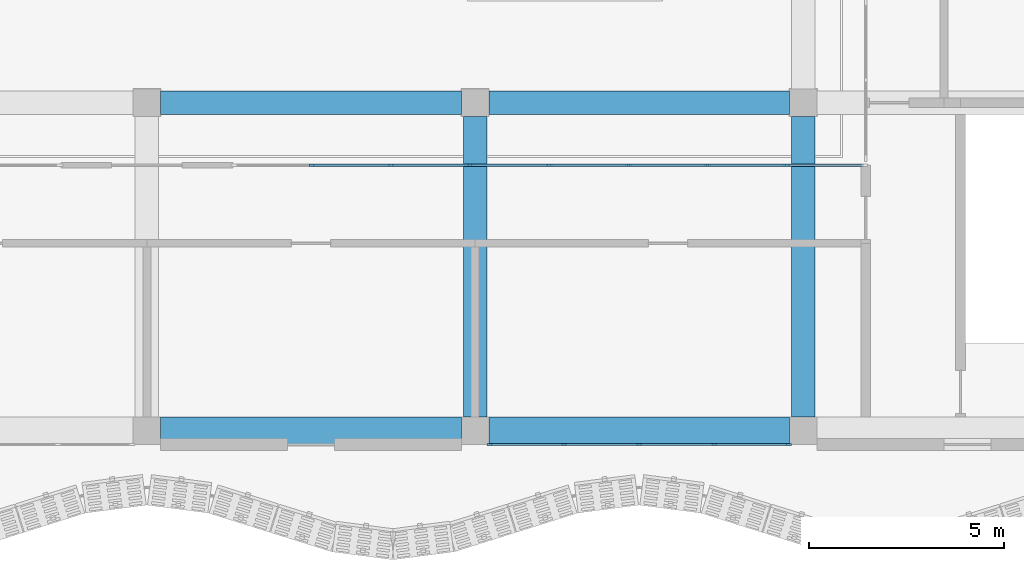
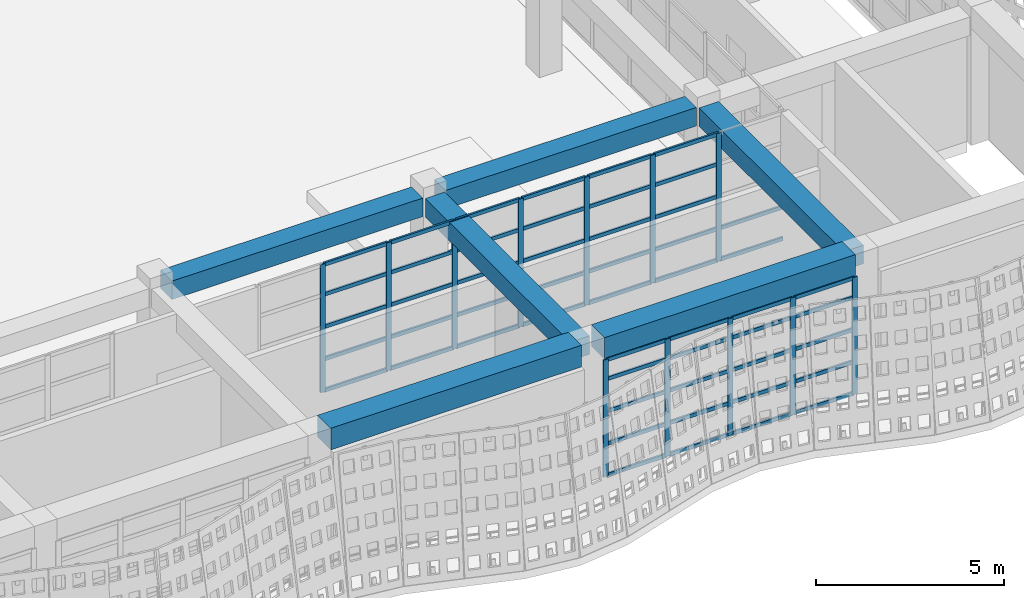
# One storey, part 6 of 85: 64 members, 6 beams, 2 elements without a shape of their own.
"""IFC4 building model written with IfcOpenShell, lengths in metres."""

from ifc_helpers import new_model, si_unit, direction, frame, origin, origin_2d, place, context, subcontext, project, spatial, rectangle, extrude, material, material_profile, profile_set, type_object, element, aggregate, save


model = new_model("IFC4")

# Units and contexts
model_context = context("Model", 3, precision=1e-05, world=origin(), true_north=direction((0.0, 1.0)))
body_context = subcontext(model_context, "Body", "Model", "MODEL_VIEW")
ifc_project = project(units=[si_unit("LENGTHUNIT", "METRE"), si_unit("AREAUNIT", "SQUARE_METRE"), si_unit("VOLUMEUNIT", "CUBIC_METRE"), si_unit("PLANEANGLEUNIT", "RADIAN"), si_unit("MASSUNIT", "GRAM", prefix="KILO")], contexts=[model_context])

# Site, building, storey
site_placement = place(None, origin())
site = spatial("IfcSite", under=ifc_project, at=site_placement, CompositionType="ELEMENT")
building_placement = place(site_placement, origin())
building = spatial("IfcBuilding", under=site, at=building_placement, Name="Rain Tree Exposition and Congress Centre", CompositionType="ELEMENT")
storey_placement = place(building_placement, frame((0.0, 0.0, 15.0)))
storey = spatial("IfcBuildingStorey", under=building, at=storey_placement, Name="L03", CompositionType="ELEMENT", Elevation=15.0)

# Beams
ifc_material_1 = material(Name="Precast concrete C50/60", Category="concrete")
ifc_material_profile_1 = material_profile(ifc_material_1, rectangle(XDim=0.60009765625, YDim=0.60009765625, at=origin_2d()), Name="RC 600x600")
ifc_profile_set_1 = profile_set([ifc_material_profile_1], Name="Precast concrete C50/60")
beam_type_1 = type_object("IfcBeamType", Name="Precast beam 600x600", PredefinedType="BEAM", material=ifc_profile_set_1)
for number, where, z_axis, x_axis, name in (
    (1, (25.550048828125, 8.39990234375, 3.85009765625), (1.0, 0.0, 0.0), (0.0, 1.0, 0.0), "wing/beam/L03/RF/019"),
    (2, (33.949951171875, 8.39990234375, 3.85009765625), (1.0, 0.0, 0.0), (0.0, 1.0, 0.0), "wing/beam/L03/RF/021"),
    (3, (33.60009765625, 0.35009765625, 3.85009765625), (0.0, 1.0, 0.0), (-1.0, 0.0, 0.0), "wing/beam/L03/RF/042"),
    (4, (42.0, 0.35009765625, 3.85009765625), (0.0, 1.0, 0.0), (-1.0, 0.0, 0.0), "wing/beam/L03/RF/050"),
):
    element("IfcBeam", number, at=place(storey_placement, frame(where, z_axis=z_axis, x_axis=x_axis)), inside=storey, type_object=beam_type_1, Name=name, PredefinedType="BEAM", context=body_context, shape_type="SweptSolid", body=[
        extrude(rectangle(XDim=0.60009765625, YDim=0.60009765625, at=origin_2d()), origin(), (0.0, 0.0, 1.0), 7.699951171875),
    ])
ifc_material_2 = material(Name="Precast concrete C50/60", Category="concrete")
ifc_material_profile_2 = material_profile(ifc_material_2, rectangle(XDim=0.699951171875, YDim=0.699951171875, at=origin_2d()), Name="RC 700x700")
ifc_profile_set_2 = profile_set([ifc_material_profile_2], Name="Precast concrete C50/60")
beam_type_2 = type_object("IfcBeamType", Name="Precast spandrel beam 700x700", PredefinedType="SPANDREL", material=ifc_profile_set_2)
for number, where, z_axis, x_axis, name in (
    (5, (25.550048828125, 0.0, 4.14990234375), (1.0, 0.0, 0.0), (0.0, 1.0, 0.0), "wing/beam/L03/RF/007"),
    (6, (33.949951171875, 0.0, 4.14990234375), (1.0, 0.0, 0.0), (0.0, 1.0, 0.0), "wing/beam/L03/RF/009"),
):
    element("IfcBeam", number, at=place(storey_placement, frame(where, z_axis=z_axis, x_axis=x_axis)), inside=storey, type_object=beam_type_2, Name=name, PredefinedType="SPANDREL", context=body_context, shape_type="SweptSolid", body=[
        extrude(rectangle(XDim=0.699951171875, YDim=0.699951171875, at=origin_2d()), origin(), (0.0, 0.0, 1.0), 7.699951171875),
    ])

# Curtain wall, members
ifc_material_3 = material(Name="Aluminium curtain wall", Category="aluminium")
curtain_wall_type = type_object("IfcCurtainWallType", Name="Wing curtain wall 1925", PredefinedType="NOTDEFINED", material=ifc_material_3)
curtain_wall_1_placement = place(storey_placement, origin())
curtain_wall_1 = element("IfcCurtainWall", 7, at=curtain_wall_1_placement, inside=storey, type_object=curtain_wall_type, Name="Curtain wall CWW403", PredefinedType="NOTDEFINED")
ifc_material_4 = material(Name="Aluminium", Category="aluminium")
ifc_material_profile_3 = material_profile(ifc_material_4, rectangle(XDim=0.06005859375, YDim=0.159912109375, at=origin_2d()), Name="Aluminium 60x160")
ifc_profile_set_3 = profile_set([ifc_material_profile_3], Name="Aluminium")
member_type_1 = type_object("IfcMemberType", Name="Wing mullion 60x160", PredefinedType="MULLION", material=ifc_profile_set_3)
member_1_placement = place(storey_placement, frame((33.97998046875, -0.35009765625, 0.0), z_axis=(0.0, 0.0, 1.0), x_axis=(0.0, 1.0, 0.0)))
member_1 = element("IfcMember", 8, at=member_1_placement, type_object=member_type_1, Name="CWW403 mullion 1", PredefinedType="MULLION", context=body_context, shape_type="SweptSolid", body=[
    extrude(rectangle(XDim=0.06005859375, YDim=0.159912109375, at=origin_2d()), origin(), (0.0, 0.0, 1.0), 3.800048828125),
])
member_2_placement = place(storey_placement, frame((35.875, -0.35009765625, 0.0), z_axis=(0.0, 0.0, 1.0), x_axis=(0.0, 1.0, 0.0)))
member_2 = element("IfcMember", 9, at=member_2_placement, type_object=member_type_1, Name="CWW403 mullion 2", PredefinedType="MULLION", context=body_context, shape_type="SweptSolid", body=[
    extrude(rectangle(XDim=0.06005859375, YDim=0.159912109375, at=origin_2d()), origin(), (0.0, 0.0, 1.0), 3.800048828125),
])
member_3_placement = place(storey_placement, frame((37.800048828125, -0.35009765625, 0.0), z_axis=(0.0, 0.0, 1.0), x_axis=(0.0, 1.0, 0.0)))
member_3 = element("IfcMember", 10, at=member_3_placement, type_object=member_type_1, Name="CWW403 mullion 3", PredefinedType="MULLION", context=body_context, shape_type="SweptSolid", body=[
    extrude(rectangle(XDim=0.06005859375, YDim=0.159912109375, at=origin_2d()), origin(), (0.0, 0.0, 1.0), 3.800048828125),
])
member_4_placement = place(storey_placement, frame((39.72509765625, -0.35009765625, 0.0), z_axis=(0.0, 0.0, 1.0), x_axis=(0.0, 1.0, 0.0)))
member_4 = element("IfcMember", 11, at=member_4_placement, type_object=member_type_1, Name="CWW403 mullion 4", PredefinedType="MULLION", context=body_context, shape_type="SweptSolid", body=[
    extrude(rectangle(XDim=0.06005859375, YDim=0.159912109375, at=origin_2d()), origin(), (0.0, 0.0, 1.0), 3.800048828125),
])
member_5_placement = place(storey_placement, frame((41.6201171875, -0.35009765625, 0.0), z_axis=(0.0, 0.0, 1.0), x_axis=(0.0, 1.0, 0.0)))
member_5 = element("IfcMember", 12, at=member_5_placement, type_object=member_type_1, Name="CWW403 mullion 5", PredefinedType="MULLION", context=body_context, shape_type="SweptSolid", body=[
    extrude(rectangle(XDim=0.06005859375, YDim=0.159912109375, at=origin_2d()), origin(), (0.0, 0.0, 1.0), 3.800048828125),
])

curtain_wall_2_placement = place(storey_placement, origin())
curtain_wall_2 = element("IfcCurtainWall", 13, at=curtain_wall_2_placement, inside=storey, type_object=curtain_wall_type, Name="Curtain wall CWW502", PredefinedType="NOTDEFINED")
member_6_placement = place(storey_placement, frame((29.425048828125, 6.800048828125, 0.0), z_axis=(0.0, 0.0, 1.0), x_axis=(0.0, 1.0, 0.0)))
member_6 = element("IfcMember", 14, at=member_6_placement, type_object=member_type_1, Name="CWW502 mullion 2", PredefinedType="MULLION", context=body_context, shape_type="SweptSolid", body=[
    extrude(rectangle(XDim=0.06005859375, YDim=0.159912109375, at=origin_2d()), origin(), (0.0, 0.0, 1.0), 4.14990234375),
])
member_7_placement = place(storey_placement, frame((31.449951171875, 6.800048828125, 0.0), z_axis=(0.0, 0.0, 1.0), x_axis=(0.0, 1.0, 0.0)))
member_7 = element("IfcMember", 15, at=member_7_placement, type_object=member_type_1, Name="CWW502 mullion 3", PredefinedType="MULLION", context=body_context, shape_type="SweptSolid", body=[
    extrude(rectangle(XDim=0.06005859375, YDim=0.159912109375, at=origin_2d()), origin(), (0.0, 0.0, 1.0), 4.14990234375),
])
member_8_placement = place(storey_placement, frame((33.47509765625, 6.800048828125, 0.0), z_axis=(0.0, 0.0, 1.0), x_axis=(0.0, 1.0, 0.0)))
member_8 = element("IfcMember", 16, at=member_8_placement, type_object=member_type_1, Name="CWW502 mullion 4", PredefinedType="MULLION", context=body_context, shape_type="SweptSolid", body=[
    extrude(rectangle(XDim=0.06005859375, YDim=0.159912109375, at=origin_2d()), origin(), (0.0, 0.0, 1.0), 4.14990234375),
])
member_9_placement = place(storey_placement, frame((35.5, 6.800048828125, 0.0), z_axis=(0.0, 0.0, 1.0), x_axis=(0.0, 1.0, 0.0)))
member_9 = element("IfcMember", 17, at=member_9_placement, type_object=member_type_1, Name="CWW502 mullion 5", PredefinedType="MULLION", context=body_context, shape_type="SweptSolid", body=[
    extrude(rectangle(XDim=0.06005859375, YDim=0.159912109375, at=origin_2d()), origin(), (0.0, 0.0, 1.0), 4.14990234375),
])
member_10_placement = place(storey_placement, frame((37.52490234375, 6.800048828125, 0.0), z_axis=(0.0, 0.0, 1.0), x_axis=(0.0, 1.0, 0.0)))
member_10 = element("IfcMember", 18, at=member_10_placement, type_object=member_type_1, Name="CWW502 mullion 6", PredefinedType="MULLION", context=body_context, shape_type="SweptSolid", body=[
    extrude(rectangle(XDim=0.06005859375, YDim=0.159912109375, at=origin_2d()), origin(), (0.0, 0.0, 1.0), 4.14990234375),
])
member_11_placement = place(storey_placement, frame((39.550048828125, 6.800048828125, 0.0), z_axis=(0.0, 0.0, 1.0), x_axis=(0.0, 1.0, 0.0)))
member_11 = element("IfcMember", 19, at=member_11_placement, type_object=member_type_1, Name="CWW502 mullion 7", PredefinedType="MULLION", context=body_context, shape_type="SweptSolid", body=[
    extrude(rectangle(XDim=0.06005859375, YDim=0.159912109375, at=origin_2d()), origin(), (0.0, 0.0, 1.0), 4.14990234375),
])
member_12_placement = place(storey_placement, frame((41.574951171875, 6.800048828125, 0.0), z_axis=(0.0, 0.0, 1.0), x_axis=(0.0, 1.0, 0.0)))
member_12 = element("IfcMember", 20, at=member_12_placement, type_object=member_type_1, Name="CWW502 mullion 8", PredefinedType="MULLION", context=body_context, shape_type="SweptSolid", body=[
    extrude(rectangle(XDim=0.06005859375, YDim=0.159912109375, at=origin_2d()), origin(), (0.0, 0.0, 1.0), 4.14990234375),
])

# Member
ifc_material_5 = material(Name="Aluminium", Category="aluminium")
ifc_material_profile_4 = material_profile(ifc_material_5, rectangle(XDim=0.06005859375, YDim=0.1201171875, at=origin_2d()), Name="Aluminium 60x120")
ifc_profile_set_4 = profile_set([ifc_material_profile_4], Name="Aluminium")
member_type_2 = type_object("IfcMemberType", Name="Wing transom 60x120", PredefinedType="USERDEFINED", material=ifc_profile_set_4)
member_13_placement = place(storey_placement, frame((34.010009765625, -0.35009765625, 0.030029296875), z_axis=(1.0, 0.0, 0.0), x_axis=(0.0, 1.0, 0.0)))
member_13 = element("IfcMember", 21, at=member_13_placement, type_object=member_type_2, Name="CWW403 transom 1.1", ObjectType="TRANSOM", PredefinedType="USERDEFINED", context=body_context, shape_type="SweptSolid", body=[
    extrude(rectangle(XDim=0.06005859375, YDim=0.1201171875, at=origin_2d()), origin(), (0.0, 0.0, 1.0), 1.8349609375),
])

member_14_placement = place(storey_placement, frame((34.010009765625, -0.35009765625, 1.050048828125), z_axis=(1.0, 0.0, 0.0), x_axis=(0.0, 1.0, 0.0)))
member_14 = element("IfcMember", 22, at=member_14_placement, type_object=member_type_2, Name="CWW403 transom 1.2", ObjectType="TRANSOM", PredefinedType="USERDEFINED", context=body_context, shape_type="SweptSolid", body=[
    extrude(rectangle(XDim=0.06005859375, YDim=0.1201171875, at=origin_2d()), origin(), (0.0, 0.0, 1.0), 1.8349609375),
])

member_15_placement = place(storey_placement, frame((34.010009765625, -0.35009765625, 2.10009765625), z_axis=(1.0, 0.0, 0.0), x_axis=(0.0, 1.0, 0.0)))
member_15 = element("IfcMember", 23, at=member_15_placement, type_object=member_type_2, Name="CWW403 transom 1.3", ObjectType="TRANSOM", PredefinedType="USERDEFINED", context=body_context, shape_type="SweptSolid", body=[
    extrude(rectangle(XDim=0.06005859375, YDim=0.1201171875, at=origin_2d()), origin(), (0.0, 0.0, 1.0), 1.8349609375),
])

member_16_placement = place(storey_placement, frame((34.010009765625, -0.35009765625, 3.14990234375), z_axis=(1.0, 0.0, 0.0), x_axis=(0.0, 1.0, 0.0)))
member_16 = element("IfcMember", 24, at=member_16_placement, type_object=member_type_2, Name="CWW403 transom 1.4", ObjectType="TRANSOM", PredefinedType="USERDEFINED", context=body_context, shape_type="SweptSolid", body=[
    extrude(rectangle(XDim=0.06005859375, YDim=0.1201171875, at=origin_2d()), origin(), (0.0, 0.0, 1.0), 1.8349609375),
])

member_17_placement = place(storey_placement, frame((34.010009765625, -0.35009765625, 3.77001953125), z_axis=(1.0, 0.0, 0.0), x_axis=(0.0, 1.0, 0.0)))
member_17 = element("IfcMember", 25, at=member_17_placement, type_object=member_type_2, Name="CWW403 transom 1.5", ObjectType="TRANSOM", PredefinedType="USERDEFINED", context=body_context, shape_type="SweptSolid", body=[
    extrude(rectangle(XDim=0.06005859375, YDim=0.1201171875, at=origin_2d()), origin(), (0.0, 0.0, 1.0), 1.8349609375),
])

member_18_placement = place(storey_placement, frame((35.905029296875, -0.35009765625, 0.030029296875), z_axis=(1.0, 0.0, 0.0), x_axis=(0.0, 1.0, 0.0)))
member_18 = element("IfcMember", 26, at=member_18_placement, type_object=member_type_2, Name="CWW403 transom 2.1", ObjectType="TRANSOM", PredefinedType="USERDEFINED", context=body_context, shape_type="SweptSolid", body=[
    extrude(rectangle(XDim=0.06005859375, YDim=0.1201171875, at=origin_2d()), origin(), (0.0, 0.0, 1.0), 1.864990234375),
])

member_19_placement = place(storey_placement, frame((35.905029296875, -0.35009765625, 1.050048828125), z_axis=(1.0, 0.0, 0.0), x_axis=(0.0, 1.0, 0.0)))
member_19 = element("IfcMember", 27, at=member_19_placement, type_object=member_type_2, Name="CWW403 transom 2.2", ObjectType="TRANSOM", PredefinedType="USERDEFINED", context=body_context, shape_type="SweptSolid", body=[
    extrude(rectangle(XDim=0.06005859375, YDim=0.1201171875, at=origin_2d()), origin(), (0.0, 0.0, 1.0), 1.864990234375),
])

member_20_placement = place(storey_placement, frame((35.905029296875, -0.35009765625, 2.10009765625), z_axis=(1.0, 0.0, 0.0), x_axis=(0.0, 1.0, 0.0)))
member_20 = element("IfcMember", 28, at=member_20_placement, type_object=member_type_2, Name="CWW403 transom 2.3", ObjectType="TRANSOM", PredefinedType="USERDEFINED", context=body_context, shape_type="SweptSolid", body=[
    extrude(rectangle(XDim=0.06005859375, YDim=0.1201171875, at=origin_2d()), origin(), (0.0, 0.0, 1.0), 1.864990234375),
])

member_21_placement = place(storey_placement, frame((35.905029296875, -0.35009765625, 3.14990234375), z_axis=(1.0, 0.0, 0.0), x_axis=(0.0, 1.0, 0.0)))
member_21 = element("IfcMember", 29, at=member_21_placement, type_object=member_type_2, Name="CWW403 transom 2.4", ObjectType="TRANSOM", PredefinedType="USERDEFINED", context=body_context, shape_type="SweptSolid", body=[
    extrude(rectangle(XDim=0.06005859375, YDim=0.1201171875, at=origin_2d()), origin(), (0.0, 0.0, 1.0), 1.864990234375),
])

member_22_placement = place(storey_placement, frame((35.905029296875, -0.35009765625, 3.77001953125), z_axis=(1.0, 0.0, 0.0), x_axis=(0.0, 1.0, 0.0)))
member_22 = element("IfcMember", 30, at=member_22_placement, type_object=member_type_2, Name="CWW403 transom 2.5", ObjectType="TRANSOM", PredefinedType="USERDEFINED", context=body_context, shape_type="SweptSolid", body=[
    extrude(rectangle(XDim=0.06005859375, YDim=0.1201171875, at=origin_2d()), origin(), (0.0, 0.0, 1.0), 1.864990234375),
])

member_23_placement = place(storey_placement, frame((37.830078125, -0.35009765625, 0.030029296875), z_axis=(1.0, 0.0, 0.0), x_axis=(0.0, 1.0, 0.0)))
member_23 = element("IfcMember", 31, at=member_23_placement, type_object=member_type_2, Name="CWW403 transom 3.1", ObjectType="TRANSOM", PredefinedType="USERDEFINED", context=body_context, shape_type="SweptSolid", body=[
    extrude(rectangle(XDim=0.06005859375, YDim=0.1201171875, at=origin_2d()), origin(), (0.0, 0.0, 1.0), 1.864990234375),
])

member_24_placement = place(storey_placement, frame((37.830078125, -0.35009765625, 1.050048828125), z_axis=(1.0, 0.0, 0.0), x_axis=(0.0, 1.0, 0.0)))
member_24 = element("IfcMember", 32, at=member_24_placement, type_object=member_type_2, Name="CWW403 transom 3.2", ObjectType="TRANSOM", PredefinedType="USERDEFINED", context=body_context, shape_type="SweptSolid", body=[
    extrude(rectangle(XDim=0.06005859375, YDim=0.1201171875, at=origin_2d()), origin(), (0.0, 0.0, 1.0), 1.864990234375),
])

member_25_placement = place(storey_placement, frame((37.830078125, -0.35009765625, 2.10009765625), z_axis=(1.0, 0.0, 0.0), x_axis=(0.0, 1.0, 0.0)))
member_25 = element("IfcMember", 33, at=member_25_placement, type_object=member_type_2, Name="CWW403 transom 3.3", ObjectType="TRANSOM", PredefinedType="USERDEFINED", context=body_context, shape_type="SweptSolid", body=[
    extrude(rectangle(XDim=0.06005859375, YDim=0.1201171875, at=origin_2d()), origin(), (0.0, 0.0, 1.0), 1.864990234375),
])

member_26_placement = place(storey_placement, frame((37.830078125, -0.35009765625, 3.14990234375), z_axis=(1.0, 0.0, 0.0), x_axis=(0.0, 1.0, 0.0)))
member_26 = element("IfcMember", 34, at=member_26_placement, type_object=member_type_2, Name="CWW403 transom 3.4", ObjectType="TRANSOM", PredefinedType="USERDEFINED", context=body_context, shape_type="SweptSolid", body=[
    extrude(rectangle(XDim=0.06005859375, YDim=0.1201171875, at=origin_2d()), origin(), (0.0, 0.0, 1.0), 1.864990234375),
])

member_27_placement = place(storey_placement, frame((37.830078125, -0.35009765625, 3.77001953125), z_axis=(1.0, 0.0, 0.0), x_axis=(0.0, 1.0, 0.0)))
member_27 = element("IfcMember", 35, at=member_27_placement, type_object=member_type_2, Name="CWW403 transom 3.5", ObjectType="TRANSOM", PredefinedType="USERDEFINED", context=body_context, shape_type="SweptSolid", body=[
    extrude(rectangle(XDim=0.06005859375, YDim=0.1201171875, at=origin_2d()), origin(), (0.0, 0.0, 1.0), 1.864990234375),
])

member_28_placement = place(storey_placement, frame((39.7548828125, -0.35009765625, 0.030029296875), z_axis=(1.0, 0.0, 0.0), x_axis=(0.0, 1.0, 0.0)))
member_28 = element("IfcMember", 36, at=member_28_placement, type_object=member_type_2, Name="CWW403 transom 4.1", ObjectType="TRANSOM", PredefinedType="USERDEFINED", context=body_context, shape_type="SweptSolid", body=[
    extrude(rectangle(XDim=0.06005859375, YDim=0.1201171875, at=origin_2d()), origin(), (0.0, 0.0, 1.0), 1.835205078125),
])

member_29_placement = place(storey_placement, frame((39.7548828125, -0.35009765625, 1.050048828125), z_axis=(1.0, 0.0, 0.0), x_axis=(0.0, 1.0, 0.0)))
member_29 = element("IfcMember", 37, at=member_29_placement, type_object=member_type_2, Name="CWW403 transom 4.2", ObjectType="TRANSOM", PredefinedType="USERDEFINED", context=body_context, shape_type="SweptSolid", body=[
    extrude(rectangle(XDim=0.06005859375, YDim=0.1201171875, at=origin_2d()), origin(), (0.0, 0.0, 1.0), 1.835205078125),
])

member_30_placement = place(storey_placement, frame((39.7548828125, -0.35009765625, 2.10009765625), z_axis=(1.0, 0.0, 0.0), x_axis=(0.0, 1.0, 0.0)))
member_30 = element("IfcMember", 38, at=member_30_placement, type_object=member_type_2, Name="CWW403 transom 4.3", ObjectType="TRANSOM", PredefinedType="USERDEFINED", context=body_context, shape_type="SweptSolid", body=[
    extrude(rectangle(XDim=0.06005859375, YDim=0.1201171875, at=origin_2d()), origin(), (0.0, 0.0, 1.0), 1.835205078125),
])

member_31_placement = place(storey_placement, frame((39.7548828125, -0.35009765625, 3.14990234375), z_axis=(1.0, 0.0, 0.0), x_axis=(0.0, 1.0, 0.0)))
member_31 = element("IfcMember", 39, at=member_31_placement, type_object=member_type_2, Name="CWW403 transom 4.4", ObjectType="TRANSOM", PredefinedType="USERDEFINED", context=body_context, shape_type="SweptSolid", body=[
    extrude(rectangle(XDim=0.06005859375, YDim=0.1201171875, at=origin_2d()), origin(), (0.0, 0.0, 1.0), 1.835205078125),
])

member_32_placement = place(storey_placement, frame((39.7548828125, -0.35009765625, 3.77001953125), z_axis=(1.0, 0.0, 0.0), x_axis=(0.0, 1.0, 0.0)))
member_32 = element("IfcMember", 40, at=member_32_placement, type_object=member_type_2, Name="CWW403 transom 4.5", ObjectType="TRANSOM", PredefinedType="USERDEFINED", context=body_context, shape_type="SweptSolid", body=[
    extrude(rectangle(XDim=0.06005859375, YDim=0.1201171875, at=origin_2d()), origin(), (0.0, 0.0, 1.0), 1.835205078125),
])

aggregate(curtain_wall_1, [member_1, member_2, member_3, member_4, member_5, member_13, member_14, member_15, member_16, member_17, member_18, member_19, member_20, member_21, member_22, member_23, member_24, member_25, member_26, member_27, member_28, member_29, member_30, member_31, member_32])

member_33_placement = place(storey_placement, frame((29.455078125, 6.800048828125, 0.030029296875), z_axis=(1.0, 0.0, 0.0), x_axis=(0.0, 1.0, 0.0)))
member_33 = element("IfcMember", 41, at=member_33_placement, type_object=member_type_2, Name="CWW502 transom 2.1", ObjectType="TRANSOM", PredefinedType="USERDEFINED", context=body_context, shape_type="SweptSolid", body=[
    extrude(rectangle(XDim=0.06005859375, YDim=0.1201171875, at=origin_2d()), origin(), (0.0, 0.0, 1.0), 1.96484375),
])

member_34_placement = place(storey_placement, frame((29.455078125, 6.800048828125, 1.050048828125), z_axis=(1.0, 0.0, 0.0), x_axis=(0.0, 1.0, 0.0)))
member_34 = element("IfcMember", 42, at=member_34_placement, type_object=member_type_2, Name="CWW502 transom 2.2", ObjectType="TRANSOM", PredefinedType="USERDEFINED", context=body_context, shape_type="SweptSolid", body=[
    extrude(rectangle(XDim=0.06005859375, YDim=0.1201171875, at=origin_2d()), origin(), (0.0, 0.0, 1.0), 1.96484375),
])

member_35_placement = place(storey_placement, frame((29.455078125, 6.800048828125, 2.10009765625), z_axis=(1.0, 0.0, 0.0), x_axis=(0.0, 1.0, 0.0)))
member_35 = element("IfcMember", 43, at=member_35_placement, type_object=member_type_2, Name="CWW502 transom 2.3", ObjectType="TRANSOM", PredefinedType="USERDEFINED", context=body_context, shape_type="SweptSolid", body=[
    extrude(rectangle(XDim=0.06005859375, YDim=0.1201171875, at=origin_2d()), origin(), (0.0, 0.0, 1.0), 1.96484375),
])

member_36_placement = place(storey_placement, frame((29.455078125, 6.800048828125, 3.14990234375), z_axis=(1.0, 0.0, 0.0), x_axis=(0.0, 1.0, 0.0)))
member_36 = element("IfcMember", 44, at=member_36_placement, type_object=member_type_2, Name="CWW502 transom 2.4", ObjectType="TRANSOM", PredefinedType="USERDEFINED", context=body_context, shape_type="SweptSolid", body=[
    extrude(rectangle(XDim=0.06005859375, YDim=0.1201171875, at=origin_2d()), origin(), (0.0, 0.0, 1.0), 1.96484375),
])

member_37_placement = place(storey_placement, frame((29.455078125, 6.800048828125, 4.1201171875), z_axis=(1.0, 0.0, 0.0), x_axis=(0.0, 1.0, 0.0)))
member_37 = element("IfcMember", 45, at=member_37_placement, type_object=member_type_2, Name="CWW502 transom 2.5", ObjectType="TRANSOM", PredefinedType="USERDEFINED", context=body_context, shape_type="SweptSolid", body=[
    extrude(rectangle(XDim=0.06005859375, YDim=0.1201171875, at=origin_2d()), origin(), (0.0, 0.0, 1.0), 1.96484375),
])

member_38_placement = place(storey_placement, frame((31.47998046875, 6.800048828125, 0.030029296875), z_axis=(1.0, 0.0, 0.0), x_axis=(0.0, 1.0, 0.0)))
member_38 = element("IfcMember", 46, at=member_38_placement, type_object=member_type_2, Name="CWW502 transom 3.1", ObjectType="TRANSOM", PredefinedType="USERDEFINED", context=body_context, shape_type="SweptSolid", body=[
    extrude(rectangle(XDim=0.06005859375, YDim=0.1201171875, at=origin_2d()), origin(), (0.0, 0.0, 1.0), 1.965087890625),
])

member_39_placement = place(storey_placement, frame((31.47998046875, 6.800048828125, 1.050048828125), z_axis=(1.0, 0.0, 0.0), x_axis=(0.0, 1.0, 0.0)))
member_39 = element("IfcMember", 47, at=member_39_placement, type_object=member_type_2, Name="CWW502 transom 3.2", ObjectType="TRANSOM", PredefinedType="USERDEFINED", context=body_context, shape_type="SweptSolid", body=[
    extrude(rectangle(XDim=0.06005859375, YDim=0.1201171875, at=origin_2d()), origin(), (0.0, 0.0, 1.0), 1.965087890625),
])

member_40_placement = place(storey_placement, frame((31.47998046875, 6.800048828125, 2.10009765625), z_axis=(1.0, 0.0, 0.0), x_axis=(0.0, 1.0, 0.0)))
member_40 = element("IfcMember", 48, at=member_40_placement, type_object=member_type_2, Name="CWW502 transom 3.3", ObjectType="TRANSOM", PredefinedType="USERDEFINED", context=body_context, shape_type="SweptSolid", body=[
    extrude(rectangle(XDim=0.06005859375, YDim=0.1201171875, at=origin_2d()), origin(), (0.0, 0.0, 1.0), 1.965087890625),
])

member_41_placement = place(storey_placement, frame((31.47998046875, 6.800048828125, 3.14990234375), z_axis=(1.0, 0.0, 0.0), x_axis=(0.0, 1.0, 0.0)))
member_41 = element("IfcMember", 49, at=member_41_placement, type_object=member_type_2, Name="CWW502 transom 3.4", ObjectType="TRANSOM", PredefinedType="USERDEFINED", context=body_context, shape_type="SweptSolid", body=[
    extrude(rectangle(XDim=0.06005859375, YDim=0.1201171875, at=origin_2d()), origin(), (0.0, 0.0, 1.0), 1.965087890625),
])

member_42_placement = place(storey_placement, frame((31.47998046875, 6.800048828125, 4.1201171875), z_axis=(1.0, 0.0, 0.0), x_axis=(0.0, 1.0, 0.0)))
member_42 = element("IfcMember", 50, at=member_42_placement, type_object=member_type_2, Name="CWW502 transom 3.5", ObjectType="TRANSOM", PredefinedType="USERDEFINED", context=body_context, shape_type="SweptSolid", body=[
    extrude(rectangle(XDim=0.06005859375, YDim=0.1201171875, at=origin_2d()), origin(), (0.0, 0.0, 1.0), 1.965087890625),
])

member_43_placement = place(storey_placement, frame((33.5048828125, 6.800048828125, 0.030029296875), z_axis=(1.0, 0.0, 0.0), x_axis=(0.0, 1.0, 0.0)))
member_43 = element("IfcMember", 51, at=member_43_placement, type_object=member_type_2, Name="CWW502 transom 4.1", ObjectType="TRANSOM", PredefinedType="USERDEFINED", context=body_context, shape_type="SweptSolid", body=[
    extrude(rectangle(XDim=0.06005859375, YDim=0.1201171875, at=origin_2d()), origin(), (0.0, 0.0, 1.0), 1.965087890625),
])

member_44_placement = place(storey_placement, frame((33.5048828125, 6.800048828125, 1.050048828125), z_axis=(1.0, 0.0, 0.0), x_axis=(0.0, 1.0, 0.0)))
member_44 = element("IfcMember", 52, at=member_44_placement, type_object=member_type_2, Name="CWW502 transom 4.2", ObjectType="TRANSOM", PredefinedType="USERDEFINED", context=body_context, shape_type="SweptSolid", body=[
    extrude(rectangle(XDim=0.06005859375, YDim=0.1201171875, at=origin_2d()), origin(), (0.0, 0.0, 1.0), 1.965087890625),
])

member_45_placement = place(storey_placement, frame((33.5048828125, 6.800048828125, 2.10009765625), z_axis=(1.0, 0.0, 0.0), x_axis=(0.0, 1.0, 0.0)))
member_45 = element("IfcMember", 53, at=member_45_placement, type_object=member_type_2, Name="CWW502 transom 4.3", ObjectType="TRANSOM", PredefinedType="USERDEFINED", context=body_context, shape_type="SweptSolid", body=[
    extrude(rectangle(XDim=0.06005859375, YDim=0.1201171875, at=origin_2d()), origin(), (0.0, 0.0, 1.0), 1.965087890625),
])

member_46_placement = place(storey_placement, frame((33.5048828125, 6.800048828125, 3.14990234375), z_axis=(1.0, 0.0, 0.0), x_axis=(0.0, 1.0, 0.0)))
member_46 = element("IfcMember", 54, at=member_46_placement, type_object=member_type_2, Name="CWW502 transom 4.4", ObjectType="TRANSOM", PredefinedType="USERDEFINED", context=body_context, shape_type="SweptSolid", body=[
    extrude(rectangle(XDim=0.06005859375, YDim=0.1201171875, at=origin_2d()), origin(), (0.0, 0.0, 1.0), 1.965087890625),
])

member_47_placement = place(storey_placement, frame((33.5048828125, 6.800048828125, 4.1201171875), z_axis=(1.0, 0.0, 0.0), x_axis=(0.0, 1.0, 0.0)))
member_47 = element("IfcMember", 55, at=member_47_placement, type_object=member_type_2, Name="CWW502 transom 4.5", ObjectType="TRANSOM", PredefinedType="USERDEFINED", context=body_context, shape_type="SweptSolid", body=[
    extrude(rectangle(XDim=0.06005859375, YDim=0.1201171875, at=origin_2d()), origin(), (0.0, 0.0, 1.0), 1.965087890625),
])

member_48_placement = place(storey_placement, frame((35.530029296875, 6.800048828125, 0.030029296875), z_axis=(1.0, 0.0, 0.0), x_axis=(0.0, 1.0, 0.0)))
member_48 = element("IfcMember", 56, at=member_48_placement, type_object=member_type_2, Name="CWW502 transom 5.1", ObjectType="TRANSOM", PredefinedType="USERDEFINED", context=body_context, shape_type="SweptSolid", body=[
    extrude(rectangle(XDim=0.06005859375, YDim=0.1201171875, at=origin_2d()), origin(), (0.0, 0.0, 1.0), 1.965087890625),
])

member_49_placement = place(storey_placement, frame((35.530029296875, 6.800048828125, 1.050048828125), z_axis=(1.0, 0.0, 0.0), x_axis=(0.0, 1.0, 0.0)))
member_49 = element("IfcMember", 57, at=member_49_placement, type_object=member_type_2, Name="CWW502 transom 5.2", ObjectType="TRANSOM", PredefinedType="USERDEFINED", context=body_context, shape_type="SweptSolid", body=[
    extrude(rectangle(XDim=0.06005859375, YDim=0.1201171875, at=origin_2d()), origin(), (0.0, 0.0, 1.0), 1.965087890625),
])

member_50_placement = place(storey_placement, frame((35.530029296875, 6.800048828125, 2.10009765625), z_axis=(1.0, 0.0, 0.0), x_axis=(0.0, 1.0, 0.0)))
member_50 = element("IfcMember", 58, at=member_50_placement, type_object=member_type_2, Name="CWW502 transom 5.3", ObjectType="TRANSOM", PredefinedType="USERDEFINED", context=body_context, shape_type="SweptSolid", body=[
    extrude(rectangle(XDim=0.06005859375, YDim=0.1201171875, at=origin_2d()), origin(), (0.0, 0.0, 1.0), 1.965087890625),
])

member_51_placement = place(storey_placement, frame((35.530029296875, 6.800048828125, 3.14990234375), z_axis=(1.0, 0.0, 0.0), x_axis=(0.0, 1.0, 0.0)))
member_51 = element("IfcMember", 59, at=member_51_placement, type_object=member_type_2, Name="CWW502 transom 5.4", ObjectType="TRANSOM", PredefinedType="USERDEFINED", context=body_context, shape_type="SweptSolid", body=[
    extrude(rectangle(XDim=0.06005859375, YDim=0.1201171875, at=origin_2d()), origin(), (0.0, 0.0, 1.0), 1.965087890625),
])

member_52_placement = place(storey_placement, frame((35.530029296875, 6.800048828125, 4.1201171875), z_axis=(1.0, 0.0, 0.0), x_axis=(0.0, 1.0, 0.0)))
member_52 = element("IfcMember", 60, at=member_52_placement, type_object=member_type_2, Name="CWW502 transom 5.5", ObjectType="TRANSOM", PredefinedType="USERDEFINED", context=body_context, shape_type="SweptSolid", body=[
    extrude(rectangle(XDim=0.06005859375, YDim=0.1201171875, at=origin_2d()), origin(), (0.0, 0.0, 1.0), 1.965087890625),
])

member_53_placement = place(storey_placement, frame((37.554931640625, 6.800048828125, 0.030029296875), z_axis=(1.0, 0.0, 0.0), x_axis=(0.0, 1.0, 0.0)))
member_53 = element("IfcMember", 61, at=member_53_placement, type_object=member_type_2, Name="CWW502 transom 6.1", ObjectType="TRANSOM", PredefinedType="USERDEFINED", context=body_context, shape_type="SweptSolid", body=[
    extrude(rectangle(XDim=0.06005859375, YDim=0.1201171875, at=origin_2d()), origin(), (0.0, 0.0, 1.0), 1.965087890625),
])

member_54_placement = place(storey_placement, frame((37.554931640625, 6.800048828125, 1.050048828125), z_axis=(1.0, 0.0, 0.0), x_axis=(0.0, 1.0, 0.0)))
member_54 = element("IfcMember", 62, at=member_54_placement, type_object=member_type_2, Name="CWW502 transom 6.2", ObjectType="TRANSOM", PredefinedType="USERDEFINED", context=body_context, shape_type="SweptSolid", body=[
    extrude(rectangle(XDim=0.06005859375, YDim=0.1201171875, at=origin_2d()), origin(), (0.0, 0.0, 1.0), 1.965087890625),
])

member_55_placement = place(storey_placement, frame((37.554931640625, 6.800048828125, 2.10009765625), z_axis=(1.0, 0.0, 0.0), x_axis=(0.0, 1.0, 0.0)))
member_55 = element("IfcMember", 63, at=member_55_placement, type_object=member_type_2, Name="CWW502 transom 6.3", ObjectType="TRANSOM", PredefinedType="USERDEFINED", context=body_context, shape_type="SweptSolid", body=[
    extrude(rectangle(XDim=0.06005859375, YDim=0.1201171875, at=origin_2d()), origin(), (0.0, 0.0, 1.0), 1.965087890625),
])

member_56_placement = place(storey_placement, frame((37.554931640625, 6.800048828125, 3.14990234375), z_axis=(1.0, 0.0, 0.0), x_axis=(0.0, 1.0, 0.0)))
member_56 = element("IfcMember", 64, at=member_56_placement, type_object=member_type_2, Name="CWW502 transom 6.4", ObjectType="TRANSOM", PredefinedType="USERDEFINED", context=body_context, shape_type="SweptSolid", body=[
    extrude(rectangle(XDim=0.06005859375, YDim=0.1201171875, at=origin_2d()), origin(), (0.0, 0.0, 1.0), 1.965087890625),
])

member_57_placement = place(storey_placement, frame((37.554931640625, 6.800048828125, 4.1201171875), z_axis=(1.0, 0.0, 0.0), x_axis=(0.0, 1.0, 0.0)))
member_57 = element("IfcMember", 65, at=member_57_placement, type_object=member_type_2, Name="CWW502 transom 6.5", ObjectType="TRANSOM", PredefinedType="USERDEFINED", context=body_context, shape_type="SweptSolid", body=[
    extrude(rectangle(XDim=0.06005859375, YDim=0.1201171875, at=origin_2d()), origin(), (0.0, 0.0, 1.0), 1.965087890625),
])

member_58_placement = place(storey_placement, frame((39.580078125, 6.800048828125, 0.030029296875), z_axis=(1.0, 0.0, 0.0), x_axis=(0.0, 1.0, 0.0)))
member_58 = element("IfcMember", 66, at=member_58_placement, type_object=member_type_2, Name="CWW502 transom 7.1", ObjectType="TRANSOM", PredefinedType="USERDEFINED", context=body_context, shape_type="SweptSolid", body=[
    extrude(rectangle(XDim=0.06005859375, YDim=0.1201171875, at=origin_2d()), origin(), (0.0, 0.0, 1.0), 1.96484375),
])

member_59_placement = place(storey_placement, frame((39.580078125, 6.800048828125, 1.050048828125), z_axis=(1.0, 0.0, 0.0), x_axis=(0.0, 1.0, 0.0)))
member_59 = element("IfcMember", 67, at=member_59_placement, type_object=member_type_2, Name="CWW502 transom 7.2", ObjectType="TRANSOM", PredefinedType="USERDEFINED", context=body_context, shape_type="SweptSolid", body=[
    extrude(rectangle(XDim=0.06005859375, YDim=0.1201171875, at=origin_2d()), origin(), (0.0, 0.0, 1.0), 1.96484375),
])

member_60_placement = place(storey_placement, frame((39.580078125, 6.800048828125, 2.10009765625), z_axis=(1.0, 0.0, 0.0), x_axis=(0.0, 1.0, 0.0)))
member_60 = element("IfcMember", 68, at=member_60_placement, type_object=member_type_2, Name="CWW502 transom 7.3", ObjectType="TRANSOM", PredefinedType="USERDEFINED", context=body_context, shape_type="SweptSolid", body=[
    extrude(rectangle(XDim=0.06005859375, YDim=0.1201171875, at=origin_2d()), origin(), (0.0, 0.0, 1.0), 1.96484375),
])

member_61_placement = place(storey_placement, frame((39.580078125, 6.800048828125, 3.14990234375), z_axis=(1.0, 0.0, 0.0), x_axis=(0.0, 1.0, 0.0)))
member_61 = element("IfcMember", 69, at=member_61_placement, type_object=member_type_2, Name="CWW502 transom 7.4", ObjectType="TRANSOM", PredefinedType="USERDEFINED", context=body_context, shape_type="SweptSolid", body=[
    extrude(rectangle(XDim=0.06005859375, YDim=0.1201171875, at=origin_2d()), origin(), (0.0, 0.0, 1.0), 1.96484375),
])

member_62_placement = place(storey_placement, frame((39.580078125, 6.800048828125, 4.1201171875), z_axis=(1.0, 0.0, 0.0), x_axis=(0.0, 1.0, 0.0)))
member_62 = element("IfcMember", 70, at=member_62_placement, type_object=member_type_2, Name="CWW502 transom 7.5", ObjectType="TRANSOM", PredefinedType="USERDEFINED", context=body_context, shape_type="SweptSolid", body=[
    extrude(rectangle(XDim=0.06005859375, YDim=0.1201171875, at=origin_2d()), origin(), (0.0, 0.0, 1.0), 1.96484375),
])

member_63_placement = place(storey_placement, frame((41.60498046875, 6.800048828125, 0.030029296875), z_axis=(1.0, 0.0, 0.0), x_axis=(0.0, 1.0, 0.0)))
member_63 = element("IfcMember", 71, at=member_63_placement, type_object=member_type_2, Name="CWW502 transom 8.1", ObjectType="TRANSOM", PredefinedType="USERDEFINED", context=body_context, shape_type="SweptSolid", body=[
    extrude(rectangle(XDim=0.06005859375, YDim=0.1201171875, at=origin_2d()), origin(), (0.0, 0.0, 1.0), 1.93505859375),
])

member_64_placement = place(storey_placement, frame((41.60498046875, 6.800048828125, 1.050048828125), z_axis=(1.0, 0.0, 0.0), x_axis=(0.0, 1.0, 0.0)))
member_64 = element("IfcMember", 72, at=member_64_placement, type_object=member_type_2, Name="CWW502 transom 8.2", ObjectType="TRANSOM", PredefinedType="USERDEFINED", context=body_context, shape_type="SweptSolid", body=[
    extrude(rectangle(XDim=0.06005859375, YDim=0.1201171875, at=origin_2d()), origin(), (0.0, 0.0, 1.0), 1.93505859375),
])

aggregate(curtain_wall_2, [member_6, member_7, member_8, member_9, member_10, member_11, member_12, member_33, member_34, member_35, member_36, member_37, member_38, member_39, member_40, member_41, member_42, member_43, member_44, member_45, member_46, member_47, member_48, member_49, member_50, member_51, member_52, member_53, member_54, member_55, member_56, member_57, member_58, member_59, member_60, member_61, member_62, member_63, member_64])

save(model, "model.ifc")
